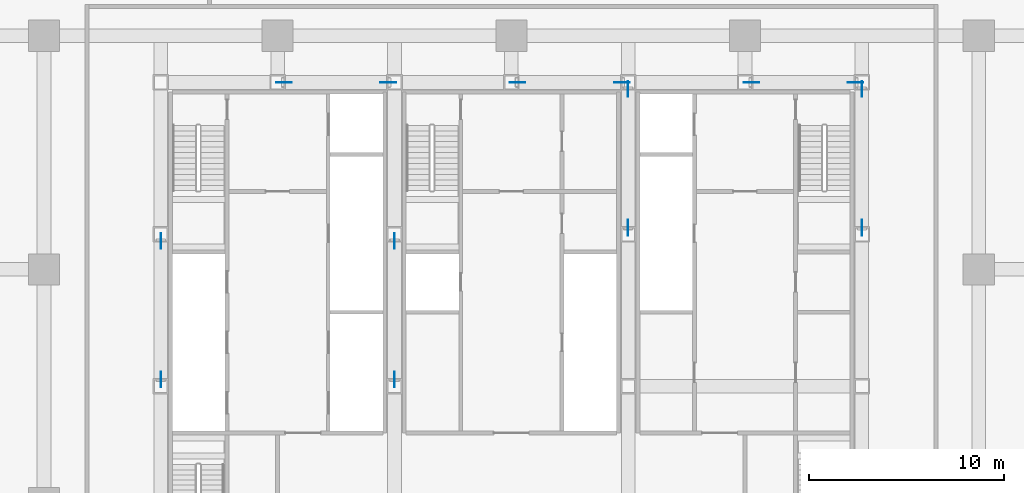
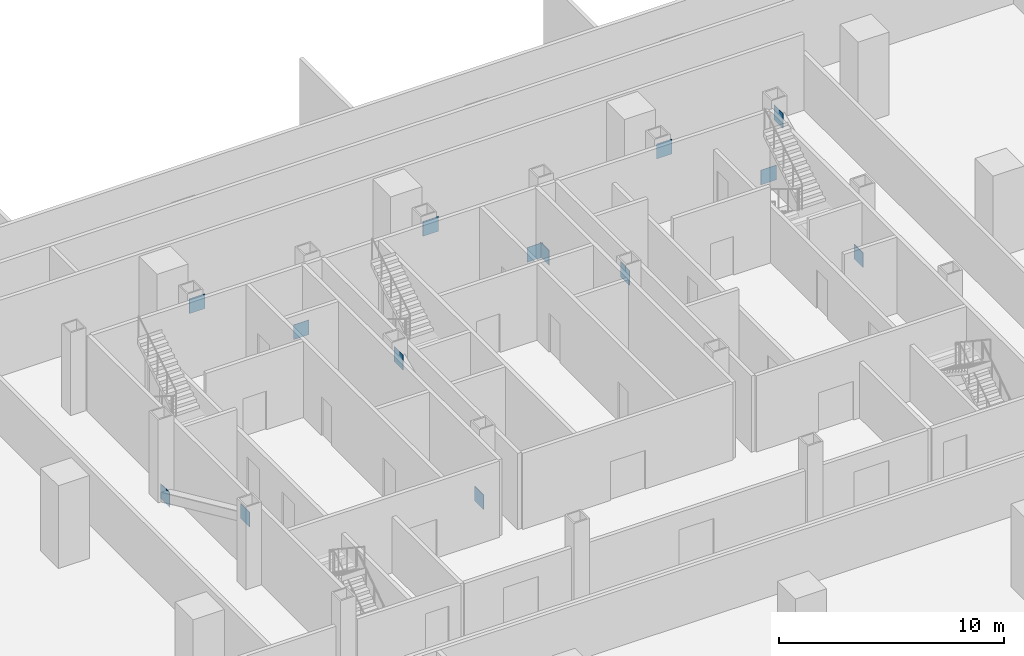
# One storey, part 12 of 15: 14 discrete accessories.
"""IFC4 building model written with IfcOpenShell, lengths in metres."""

from ifc_helpers import new_model, si_unit, direction, frame, origin, origin_2d, place, context, subcontext, project, spatial, rectangle, extrude, material, layer, layer_set, type_object, element, save


model = new_model("IFC4")

# Units and contexts
model_context = context("Model", 3, precision=1e-05, world=origin(), true_north=direction((0.0, 1.0)))
body_context = subcontext(model_context, "Body", "Model", "MODEL_VIEW")
ifc_project = project(units=[si_unit("LENGTHUNIT", "METRE"), si_unit("AREAUNIT", "SQUARE_METRE"), si_unit("VOLUMEUNIT", "CUBIC_METRE"), si_unit("PLANEANGLEUNIT", "RADIAN"), si_unit("MASSUNIT", "GRAM", prefix="KILO")], contexts=[model_context])

# Site, building, storey
site_placement = place(None, origin())
site = spatial("IfcSite", under=ifc_project, at=site_placement, CompositionType="ELEMENT")
building_placement = place(site_placement, origin())
building = spatial("IfcBuilding", under=site, at=building_placement, Name="Sorahane Residences", CompositionType="ELEMENT")
storey_placement = place(building_placement, frame((0.0, 0.0, -4.5)))
storey = spatial("IfcBuildingStorey", under=building, at=storey_placement, Name="B1", CompositionType="ELEMENT", Elevation=-4.5)

# Discrete accessories
ifc_material = material(Name="Steel Q355B", Category="steel")
ifc_layer = layer(ifc_material, 0.02490234375)
ifc_layer_set = layer_set([ifc_layer], Name="Node plate Steel Q355B 25")
discrete_accessory_type = type_object("IfcDiscreteAccessoryType", Name="Node plate Steel Q355B 25", PredefinedType="BRACKET", material=ifc_layer_set)
for number, where, z_axis, x_axis, name in (
    (1, (6.0, 37.462158203125, -0.17822265625), (0.0, 0.0, 1.0), (0.0, 1.0, 0.0), "Node plate B1 br"),
    (2, (6.0, 30.337890625, 3.068359375), (0.0, 0.0, 1.0), (0.0, 1.0, 0.0), "Node plate B1 br"),
    (3, (18.0, 30.337890625, -0.17822265625), (0.0, 0.0, 1.0), (0.0, 1.0, 0.0), "Node plate B1 br"),
    (4, (18.0, 37.462158203125, 3.068359375), (0.0, 0.0, 1.0), (0.0, 1.0, 0.0), "Node plate B1 br"),
    (5, (30.0, 45.26220703125, -0.17822265625), (0.0, 0.0, 1.0), (0.0, 1.0, 0.0), "Node plate B1 br"),
    (6, (30.0, 38.1376953125, 3.068359375), (0.0, 0.0, 1.0), (0.0, 1.0, 0.0), "Node plate B1 br"),
    (7, (42.0, 38.1376953125, -0.17822265625), (0.0, 0.0, 1.0), (0.0, 1.0, 0.0), "Node plate B1 br"),
    (8, (42.0, 45.26220703125, 3.068359375), (0.0, 0.0, 1.0), (0.0, 1.0, 0.0), "Node plate B1 br"),
    (9, (17.678466796875, 45.60009765625, -0.1982421875), (0.0, 0.0, 1.0), (1.0, 0.0, 0.0), "Node plate B1 br"),
    (10, (29.678466796875, 45.60009765625, -0.1982421875), (0.0, 0.0, 1.0), (1.0, 0.0, 0.0), "Node plate B1 br"),
    (11, (41.678466796875, 45.60009765625, -0.1982421875), (0.0, 0.0, 1.0), (1.0, 0.0, 0.0), "Node plate B1 br"),
    (12, (12.321533203125, 45.60009765625, 3.087890625), (0.0, 0.0, 1.0), (1.0, 0.0, 0.0), "Node plate B1 br"),
    (13, (24.321533203125, 45.60009765625, 3.087890625), (0.0, 0.0, 1.0), (1.0, 0.0, 0.0), "Node plate B1 br"),
    (14, (36.321533203125, 45.60009765625, 3.087890625), (0.0, 0.0, 1.0), (1.0, 0.0, 0.0), "Node plate B1 br"),
):
    element("IfcDiscreteAccessory", number, at=place(storey_placement, frame(where, z_axis=z_axis, x_axis=x_axis)), inside=storey, type_object=discrete_accessory_type, Name=name, PredefinedType="BRACKET", context=body_context, shape_type="SweptSolid", body=[
        extrude(rectangle(XDim=0.800048828125, YDim=0.02490234375, at=origin_2d()), origin(), (0.0, 0.0, 1.0), 0.800048828125),
    ])

save(model, "model.ifc")
